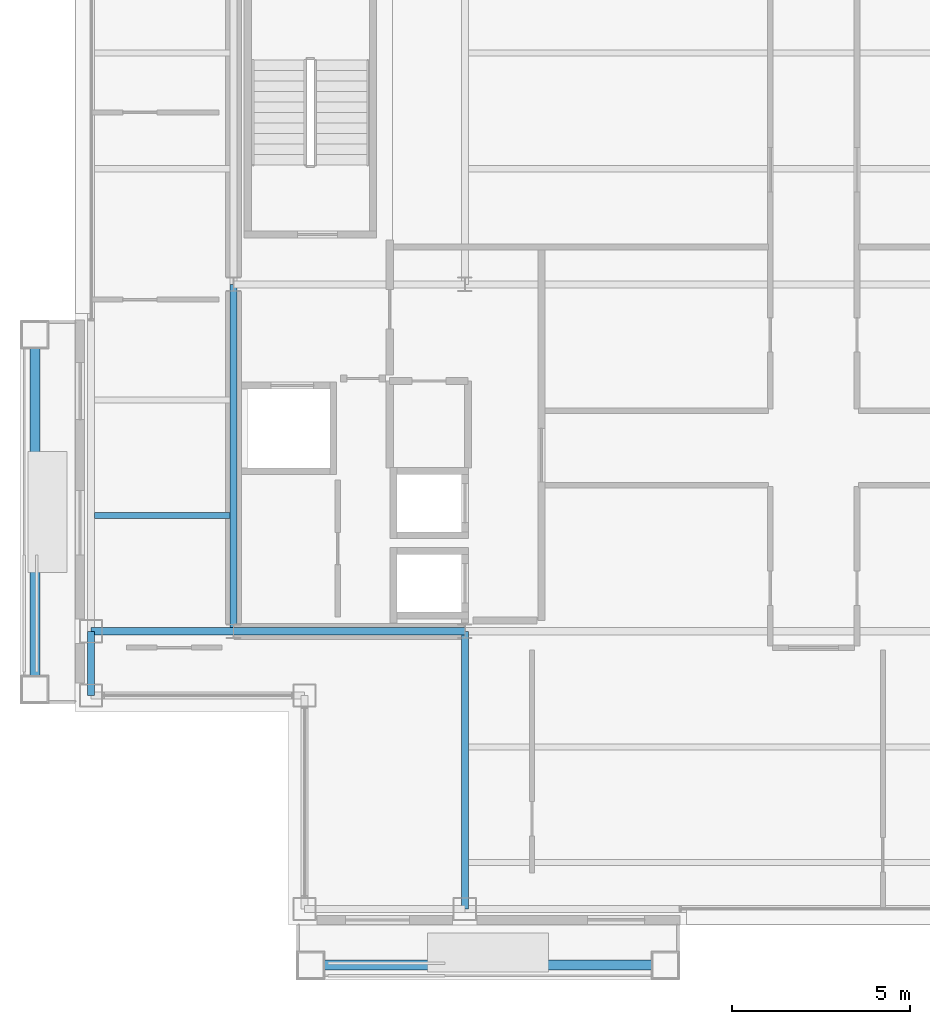
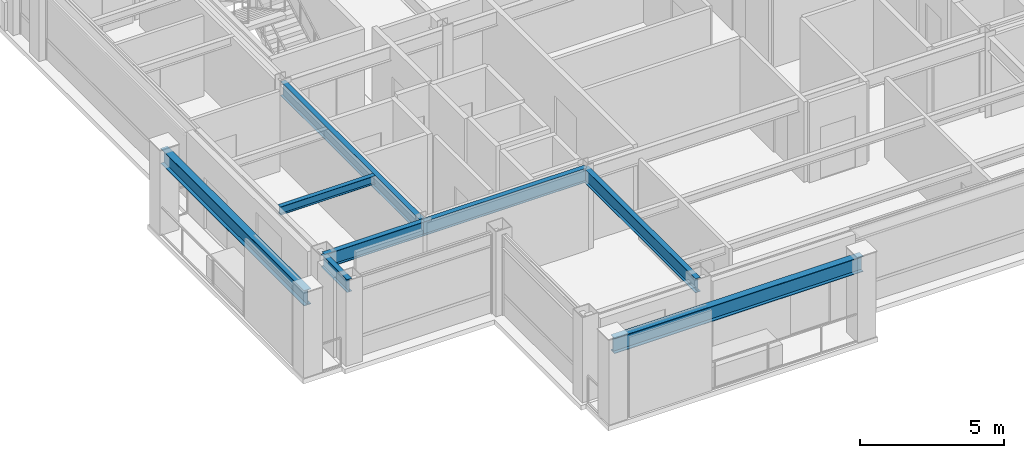
# One storey, part 4 of 26: 8 beams.
"""IFC4 building model written with IfcOpenShell, lengths in metres."""

import ifcopenshell
import ifcopenshell.guid

model = None  # the IFC model being written
_history = None  # IfcOwnerHistory: only IFC2X3 demands one
_inside = {}  # id of a spatial element -> (the spatial element, [elements in it])
_under = {}  # id of a project, library or spatial element -> (it, [spatial elements below it])
_declared = {}  # id of a project -> (the project, [libraries it declares])
_typed = {}  # id of a type object -> (the type object, [elements of that type])
_made_of = {}  # id of a material, layer set ... -> (it, [elements and type objects made of it])


def new_model(schema):
    """Start an empty IFC model of exactly this schema.

    Asked for "IFC4X3", IfcOpenShell would pick the latest addendum, in which some entities
    have other attributes; the version numbers below select the first issue.
    IFC2X3 requires an IfcOwnerHistory on every rooted entity: one is made here for all.
    """
    global model, _history
    if schema == "IFC4X3":
        model = ifcopenshell.file(schema_version=(4, 3, 0, 0))
    else:
        model = ifcopenshell.file(schema=schema)
    _inside.clear()
    _under.clear()
    _declared.clear()
    _typed.clear()
    _made_of.clear()
    _history = None
    if model.schema == "IFC2X3":
        org = make("IfcOrganization", Name="unknown")
        user = make(
            "IfcPersonAndOrganization",
            ThePerson=make("IfcPerson", FamilyName="unknown"),
            TheOrganization=org,
        )
        app = make(
            "IfcApplication",
            ApplicationDeveloper=org,
            Version="unknown",
            ApplicationFullName="unknown",
            ApplicationIdentifier="unknown",
        )
        _history = make(
            "IfcOwnerHistory",
            OwningUser=user,
            OwningApplication=app,
            ChangeAction="ADDED",
            CreationDate=0,
        )
    return model


def make(cls, **values):
    """One entity of the class cls with the attributes given. An attribute that is None is left unset."""
    return model.create_entity(
        cls, **{name: value for name, value in values.items() if value is not None}
    )


def rooted(cls, **values):
    """An entity with a GlobalId (a new one), such as an element, a storey or a relation."""
    return make(cls, GlobalId=ifcopenshell.guid.new(), OwnerHistory=_history, **values)


def si_unit(unit_type, name, prefix=None):
    """IfcSIUnit, for example si_unit("LENGTHUNIT", "METRE", prefix="MILLI")."""
    return make("IfcSIUnit", UnitType=unit_type, Prefix=prefix, Name=name)


def assignment(units):
    """IfcUnitAssignment: the units of a project."""
    return None if units is None else make("IfcUnitAssignment", Units=units)


def point(xyz):
    """IfcCartesianPoint."""
    return None if xyz is None else make("IfcCartesianPoint", Coordinates=xyz)


def direction(xyz):
    """IfcDirection."""
    return None if xyz is None else make("IfcDirection", DirectionRatios=xyz)


def frame(location, z_axis=None, x_axis=None):
    """IfcAxis2Placement3D, a coordinate frame: its origin and axes. An axis left out is left unset."""
    return make(
        "IfcAxis2Placement3D",
        Location=point(location),
        Axis=direction(z_axis),
        RefDirection=direction(x_axis),
    )


def frame_2d(location, x_axis=None):
    """IfcAxis2Placement2D, a coordinate frame in the plane: its origin and x axis."""
    return make(
        "IfcAxis2Placement2D", Location=point(location), RefDirection=direction(x_axis)
    )


def origin():
    """The frame at (0, 0, 0) with its axes left unset."""
    return frame((0.0, 0.0, 0.0))


def origin_2d():
    """The frame at (0, 0) in the plane with its x axis left unset."""
    return frame_2d((0.0, 0.0))


def place(relative_to, where):
    """IfcLocalPlacement: puts the frame where relative to a parent placement (None: the world)."""
    return make(
        "IfcLocalPlacement", PlacementRelTo=relative_to, RelativePlacement=where
    )


def context(
    kind, dimensions, precision=None, world=None, true_north=None, identifier=None
):
    """IfcGeometricRepresentationContext, for example the 3D "Model" context."""
    return make(
        "IfcGeometricRepresentationContext",
        ContextIdentifier=identifier,
        ContextType=kind,
        CoordinateSpaceDimension=dimensions,
        Precision=precision,
        WorldCoordinateSystem=world,
        TrueNorth=true_north,
    )


def subcontext(parent, identifier, kind, view, scale=None):
    """IfcGeometricRepresentationSubContext, for example "Body" below "Model"."""
    return make(
        "IfcGeometricRepresentationSubContext",
        ContextIdentifier=identifier,
        ContextType=kind,
        ParentContext=parent,
        TargetScale=scale,
        TargetView=view,
    )


def project(units=None, contexts=None):
    """IfcProject with its units and contexts."""
    return rooted(
        "IfcProject",
        Name="project",
        RepresentationContexts=contexts,
        UnitsInContext=assignment(units),
    )


def spatial(cls, under=None, at=None, **own):
    """A site, building, storey or space (cls), placed at a placement, below another one or the project."""
    s = rooted(cls, ObjectPlacement=at, **own)
    if under is not None:
        _under.setdefault(under.id(), (under, []))[1].append(s)
    return s


def profile(cls, at=None, kind="AREA", **sizes):
    """A parametric profile (cls). Its sizes go by their IFC names, for example OverallWidth=200.0."""
    return make(cls, ProfileType=kind, Position=at, **sizes)


def i_section(**sizes):
    """IfcIShapeProfileDef."""
    return profile("IfcIShapeProfileDef", **sizes)


def extrude(swept, where, along, depth):
    """IfcExtrudedAreaSolid: the profile swept, set in the frame where, extruded along a direction by depth."""
    return make(
        "IfcExtrudedAreaSolid",
        SweptArea=swept,
        Position=where,
        ExtrudedDirection=direction(along),
        Depth=depth,
    )


def shape(context_of_items, identifier, shape_type, items):
    """IfcShapeRepresentation: the items that make up one representation, for example the "Body"."""
    return make(
        "IfcShapeRepresentation",
        ContextOfItems=context_of_items,
        RepresentationIdentifier=identifier,
        RepresentationType=shape_type,
        Items=items,
    )


def material(Name=None, Category=None):
    """IfcMaterial."""
    return make("IfcMaterial", Name=Name, Category=Category)


def material_profile(
    of_material, cross_section, Name=None, Category=None, Priority=None
):
    """IfcMaterialProfile: a cross section and its material."""
    return make(
        "IfcMaterialProfile",
        Name=Name,
        Material=of_material,
        Profile=cross_section,
        Priority=Priority,
        Category=Category,
    )


def profile_set(profiles, Name=None, composite=None):
    """IfcMaterialProfileSet."""
    return make(
        "IfcMaterialProfileSet",
        Name=Name,
        MaterialProfiles=profiles,
        CompositeProfile=composite,
    )


def made_of(thing, what):
    """Note that an element or type object is made of a material, layer set ...; save() writes the relation."""
    if what is not None:
        _made_of.setdefault(what.id(), (what, []))[1].append(thing)
    return thing


def type_object(cls, material=None, **own):
    """A type object (cls), such as IfcWallType, which elements share."""
    return made_of(rooted(cls, **own), material)


def element(
    cls,
    number,
    at=None,
    inside=None,
    cuts=None,
    type_object=None,
    material=None,
    context=None,
    identifier="Body",
    shape_type=None,
    held_by="IfcProductDefinitionShape",
    body=None,
    shapes=None,
    **own,
):
    """One element of the class cls, such as IfcWall. Its Tag is "e" and its number.

    at: its placement. inside: the storey or other place that contains it. cuts: it is an
    opening in that element (IfcRelVoidsElement). A single representation is given by context,
    identifier, shape_type and body (its items); several are given by shapes. held_by: the class
    of the entity that holds the representations. save() writes the other relations.
    """
    e = rooted(cls, Tag="e%d" % number, ObjectPlacement=at, **own)
    if body is not None:
        shapes = [shape(context, identifier, shape_type, body)]
    if shapes is not None:
        e.Representation = make(held_by, Representations=shapes)
    if inside is not None:
        _inside.setdefault(inside.id(), (inside, []))[1].append(e)
    if cuts is not None:
        rooted(
            "IfcRelVoidsElement", RelatingBuildingElement=cuts, RelatedOpeningElement=e
        )
    if type_object is not None:
        _typed.setdefault(type_object.id(), (type_object, []))[1].append(e)
    return made_of(e, material)


def aggregate(whole, parts):
    """IfcRelAggregates: a whole, such as a stair, and the parts it consists of."""
    return rooted("IfcRelAggregates", RelatingObject=whole, RelatedObjects=parts)


def save(model, path):
    """Write the relations noted so far, then the file.

    IfcRelAggregates (storeys below a building ...), IfcRelContainedInSpatialStructure (elements
    in a storey), IfcRelDefinesByType, IfcRelAssociatesMaterial and IfcRelDeclares: one each for
    every whole, place, type object, material and project.
    """
    for whole, parts in _under.values():
        aggregate(whole, parts)
    for where, things in _inside.values():
        rooted(
            "IfcRelContainedInSpatialStructure",
            RelatedElements=things,
            RelatingStructure=where,
        )
    for kind, things in _typed.values():
        rooted("IfcRelDefinesByType", RelatedObjects=things, RelatingType=kind)
    for what, things in _made_of.values():
        rooted("IfcRelAssociatesMaterial", RelatedObjects=things, RelatingMaterial=what)
    for by, libraries in _declared.values():
        rooted("IfcRelDeclares", RelatingContext=by, RelatedDefinitions=libraries)
    model.write(path)


model = new_model("IFC4")

# Units and contexts
model_context = context("Model", 3, precision=1e-05, world=origin(), true_north=direction((0.0, 1.0)))
body_context = subcontext(model_context, "Body", "Model", "MODEL_VIEW")
ifc_project = project(units=[si_unit("LENGTHUNIT", "METRE"), si_unit("AREAUNIT", "SQUARE_METRE"), si_unit("VOLUMEUNIT", "CUBIC_METRE"), si_unit("PLANEANGLEUNIT", "RADIAN"), si_unit("MASSUNIT", "GRAM", prefix="KILO")], contexts=[model_context])

# Site, building, storey
site_placement = place(None, origin())
site = spatial("IfcSite", under=ifc_project, at=site_placement, CompositionType="ELEMENT")
building_placement = place(site_placement, origin())
building = spatial("IfcBuilding", under=site, at=building_placement, Name="Brelmoor Portico Tower", CompositionType="ELEMENT")
storey_placement = place(building_placement, frame((0.0, 0.0, 247.199951171875)))
storey = spatial("IfcBuildingStorey", under=building, at=storey_placement, Name="L65", CompositionType="ELEMENT", Elevation=247.199951171875)

# Beams
ifc_material = material(Name="Steel Q355B", Category="steel")
ifc_material_profile_1 = material_profile(ifc_material, i_section(OverallWidth=0.175048828125, OverallDepth=0.35009765625, WebThickness=0.007080078125, FlangeThickness=0.010986328125, at=origin_2d()), Name="HN 350x175x7x11")
ifc_profile_set_1 = profile_set([ifc_material_profile_1], Name="Steel Q355B")
beam_type_1 = type_object("IfcBeamType", Name="BM-JS-350", PredefinedType="JOIST", material=ifc_profile_set_1)
beam_1_placement = place(storey_placement, frame((-18.449951171875, -6.5, 3.22509765625), z_axis=(1.0, 0.0, 0.0), x_axis=(0.0, 1.0, 0.0)))
element("IfcBeam", 1, at=beam_1_placement, inside=storey, type_object=beam_type_1, Name="L65 Secondary Wing Joist JS-W07", PredefinedType="JOIST", context=body_context, shape_type="SweptSolid", body=[
    extrude(i_section(OverallWidth=0.175048828125, OverallDepth=0.35009765625, WebThickness=0.007080078125, FlangeThickness=0.010986328125, at=origin_2d()), origin(), (0.0, 0.0, 1.0), 3.800048828125),
])
ifc_material_profile_2 = material_profile(ifc_material, i_section(OverallWidth=0.199951171875, OverallDepth=0.60009765625, WebThickness=0.010986328125, FlangeThickness=0.01708984375, at=origin_2d()), Name="HN 600x200x11x17")
ifc_profile_set_2 = profile_set([ifc_material_profile_2], Name="Steel Q355B")
beam_type_2 = type_object("IfcBeamType", Name="BM-PG-600", PredefinedType="BEAM", material=ifc_profile_set_2)
beam_2_placement = place(storey_placement, frame((-14.550048828125, -9.75, 3.10009765625), z_axis=(0.0, 1.0, 0.0), x_axis=(-1.0, 0.0, 0.0)))
element("IfcBeam", 2, at=beam_2_placement, inside=storey, type_object=beam_type_2, Name="L65 Primary Floor Girder PG-01", PredefinedType="BEAM", context=body_context, shape_type="SweptSolid", body=[
    extrude(i_section(OverallWidth=0.199951171875, OverallDepth=0.60009765625, WebThickness=0.010986328125, FlangeThickness=0.01708984375, at=origin_2d()), origin(), (0.0, 0.0, 1.0), 9.75),
])
beam_3_placement = place(storey_placement, frame((-8.050048828125, -17.550048828125, 3.10009765625), z_axis=(0.0, 1.0, 0.0), x_axis=(-1.0, 0.0, 0.0)))
element("IfcBeam", 3, at=beam_3_placement, inside=storey, type_object=beam_type_2, Name="L65 Primary Floor Girder PG-03", PredefinedType="BEAM", context=body_context, shape_type="SweptSolid", body=[
    extrude(i_section(OverallWidth=0.199951171875, OverallDepth=0.60009765625, WebThickness=0.010986328125, FlangeThickness=0.01708984375, at=origin_2d()), origin(), (0.0, 0.0, 1.0), 7.800048828125),
])
beam_4_placement = place(storey_placement, frame((-18.550048828125, -9.75, 3.10009765625), z_axis=(1.0, 0.0, 0.0), x_axis=(0.0, 1.0, 0.0)))
element("IfcBeam", 4, at=beam_4_placement, inside=storey, type_object=beam_type_2, Name="L65 Primary Floor Girder PG-11", PredefinedType="BEAM", context=body_context, shape_type="SweptSolid", body=[
    extrude(i_section(OverallWidth=0.199951171875, OverallDepth=0.60009765625, WebThickness=0.010986328125, FlangeThickness=0.01708984375, at=origin_2d()), origin(), (0.0, 0.0, 1.0), 4.0),
])
beam_5_placement = place(storey_placement, frame((-14.550048828125, -9.75, 3.10009765625), z_axis=(1.0, 0.0, 0.0), x_axis=(0.0, 1.0, 0.0)))
element("IfcBeam", 5, at=beam_5_placement, inside=storey, type_object=beam_type_2, Name="L65 Primary Floor Girder PG-12", PredefinedType="BEAM", context=body_context, shape_type="SweptSolid", body=[
    extrude(i_section(OverallWidth=0.199951171875, OverallDepth=0.60009765625, WebThickness=0.010986328125, FlangeThickness=0.01708984375, at=origin_2d()), origin(), (0.0, 0.0, 1.0), 6.5),
])
ifc_material_profile_3 = material_profile(ifc_material, i_section(OverallWidth=0.199951171875, OverallDepth=0.550048828125, WebThickness=0.010009765625, FlangeThickness=0.01611328125, at=origin_2d()), Name="HN 550x200x10x16")
ifc_profile_set_3 = profile_set([ifc_material_profile_3], Name="Steel Q355B")
beam_type_3 = type_object("IfcBeamType", Name="BM-SP-550", PredefinedType="SPANDREL", material=ifc_profile_set_3)
beam_6_placement = place(storey_placement, frame((-18.550048828125, -11.550048828125, 3.125), z_axis=(0.0, 1.0, 0.0), x_axis=(-1.0, 0.0, 0.0)))
element("IfcBeam", 6, at=beam_6_placement, inside=storey, type_object=beam_type_3, Name="L65 Perimeter Spandrel Beam SP-11", PredefinedType="SPANDREL", context=body_context, shape_type="SweptSolid", body=[
    extrude(i_section(OverallWidth=0.199951171875, OverallDepth=0.550048828125, WebThickness=0.010009765625, FlangeThickness=0.01611328125, at=origin_2d()), origin(), (0.0, 0.0, 1.0), 1.800048828125),
])
ifc_material_profile_4 = material_profile(ifc_material, i_section(OverallWidth=0.280029296875, OverallDepth=0.64990234375, WebThickness=0.012939453125, FlangeThickness=0.02197265625, at=origin_2d()), Name="HN 650x280x13x22")
ifc_profile_set_4 = profile_set([ifc_material_profile_4], Name="Steel Q355B")
beam_type_4 = type_object("IfcBeamType", Name="BM-SP-650", PredefinedType="SPANDREL", material=ifc_profile_set_4)
for number, where, z_axis, x_axis, name in (
    (7, (-12.3798828125, -19.1298828125, 3.074951171875), (1.0, 0.0, 0.0), (0.0, 1.0, 0.0), "L65 Picture-Frame Perimeter Lintel Beam S1"),
    (8, (-20.1298828125, -11.3798828125, 3.074951171875), (0.0, 1.0, 0.0), (-1.0, 0.0, 0.0), "L65 Picture-Frame Perimeter Lintel Beam W1"),
):
    element("IfcBeam", number, at=place(storey_placement, frame(where, z_axis=z_axis, x_axis=x_axis)), inside=storey, type_object=beam_type_4, Name=name, PredefinedType="SPANDREL", context=body_context, shape_type="SweptSolid", body=[
        extrude(i_section(OverallWidth=0.280029296875, OverallDepth=0.64990234375, WebThickness=0.012939453125, FlangeThickness=0.02197265625, at=origin_2d()), origin(), (0.0, 0.0, 1.0), 9.9599609375),
    ])

save(model, "model.ifc")
